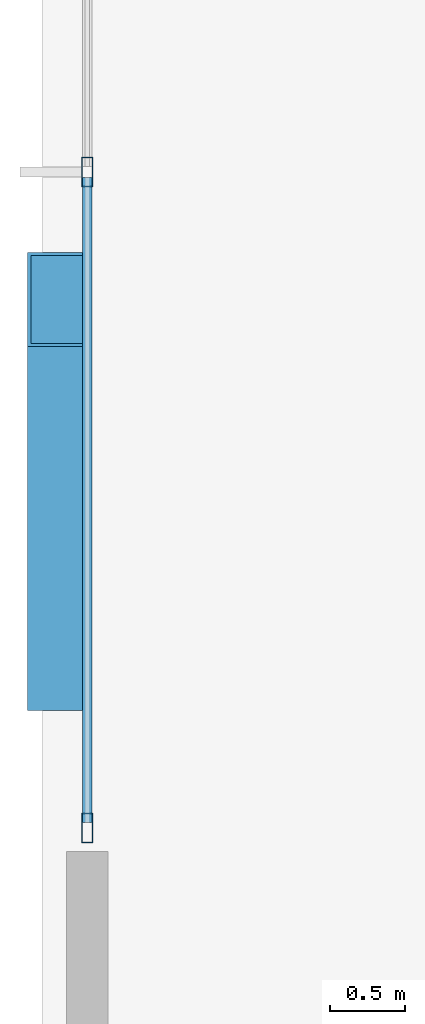
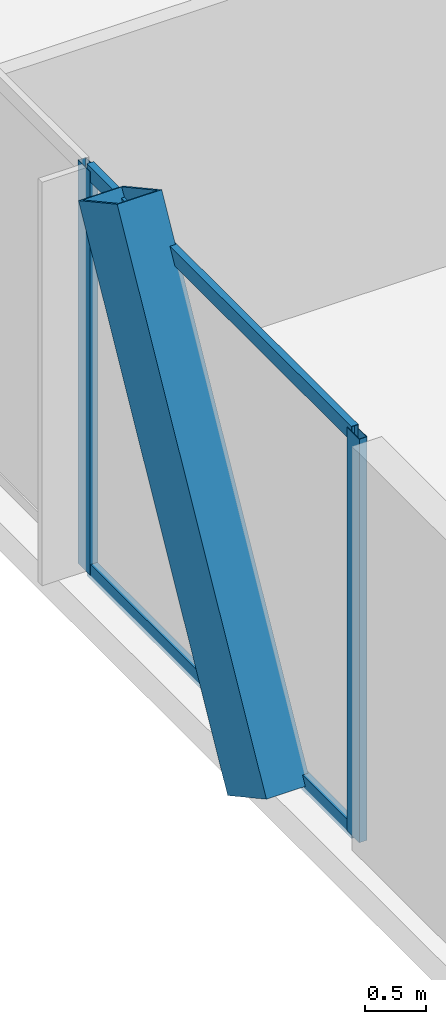
# One storey, part 10 of 42: 5 members, 1 element without a shape of its own.
"""IFC4 building model written with IfcOpenShell, lengths in metres."""

import ifcopenshell
import ifcopenshell.guid

model = None  # the IFC model being written
_history = None  # IfcOwnerHistory: only IFC2X3 demands one
_inside = {}  # id of a spatial element -> (the spatial element, [elements in it])
_under = {}  # id of a project, library or spatial element -> (it, [spatial elements below it])
_declared = {}  # id of a project -> (the project, [libraries it declares])
_typed = {}  # id of a type object -> (the type object, [elements of that type])
_made_of = {}  # id of a material, layer set ... -> (it, [elements and type objects made of it])


def new_model(schema):
    """Start an empty IFC model of exactly this schema.

    Asked for "IFC4X3", IfcOpenShell would pick the latest addendum, in which some entities
    have other attributes; the version numbers below select the first issue.
    IFC2X3 requires an IfcOwnerHistory on every rooted entity: one is made here for all.
    """
    global model, _history
    if schema == "IFC4X3":
        model = ifcopenshell.file(schema_version=(4, 3, 0, 0))
    else:
        model = ifcopenshell.file(schema=schema)
    _inside.clear()
    _under.clear()
    _declared.clear()
    _typed.clear()
    _made_of.clear()
    _history = None
    if model.schema == "IFC2X3":
        org = make("IfcOrganization", Name="unknown")
        user = make(
            "IfcPersonAndOrganization",
            ThePerson=make("IfcPerson", FamilyName="unknown"),
            TheOrganization=org,
        )
        app = make(
            "IfcApplication",
            ApplicationDeveloper=org,
            Version="unknown",
            ApplicationFullName="unknown",
            ApplicationIdentifier="unknown",
        )
        _history = make(
            "IfcOwnerHistory",
            OwningUser=user,
            OwningApplication=app,
            ChangeAction="ADDED",
            CreationDate=0,
        )
    return model


def make(cls, **values):
    """One entity of the class cls with the attributes given. An attribute that is None is left unset."""
    return model.create_entity(
        cls, **{name: value for name, value in values.items() if value is not None}
    )


def rooted(cls, **values):
    """An entity with a GlobalId (a new one), such as an element, a storey or a relation."""
    return make(cls, GlobalId=ifcopenshell.guid.new(), OwnerHistory=_history, **values)


def si_unit(unit_type, name, prefix=None):
    """IfcSIUnit, for example si_unit("LENGTHUNIT", "METRE", prefix="MILLI")."""
    return make("IfcSIUnit", UnitType=unit_type, Prefix=prefix, Name=name)


def assignment(units):
    """IfcUnitAssignment: the units of a project."""
    return None if units is None else make("IfcUnitAssignment", Units=units)


def point(xyz):
    """IfcCartesianPoint."""
    return None if xyz is None else make("IfcCartesianPoint", Coordinates=xyz)


def direction(xyz):
    """IfcDirection."""
    return None if xyz is None else make("IfcDirection", DirectionRatios=xyz)


def frame(location, z_axis=None, x_axis=None):
    """IfcAxis2Placement3D, a coordinate frame: its origin and axes. An axis left out is left unset."""
    return make(
        "IfcAxis2Placement3D",
        Location=point(location),
        Axis=direction(z_axis),
        RefDirection=direction(x_axis),
    )


def frame_2d(location, x_axis=None):
    """IfcAxis2Placement2D, a coordinate frame in the plane: its origin and x axis."""
    return make(
        "IfcAxis2Placement2D", Location=point(location), RefDirection=direction(x_axis)
    )


def origin():
    """The frame at (0, 0, 0) with its axes left unset."""
    return frame((0.0, 0.0, 0.0))


def origin_2d():
    """The frame at (0, 0) in the plane with its x axis left unset."""
    return frame_2d((0.0, 0.0))


def place(relative_to, where):
    """IfcLocalPlacement: puts the frame where relative to a parent placement (None: the world)."""
    return make(
        "IfcLocalPlacement", PlacementRelTo=relative_to, RelativePlacement=where
    )


def context(
    kind, dimensions, precision=None, world=None, true_north=None, identifier=None
):
    """IfcGeometricRepresentationContext, for example the 3D "Model" context."""
    return make(
        "IfcGeometricRepresentationContext",
        ContextIdentifier=identifier,
        ContextType=kind,
        CoordinateSpaceDimension=dimensions,
        Precision=precision,
        WorldCoordinateSystem=world,
        TrueNorth=true_north,
    )


def subcontext(parent, identifier, kind, view, scale=None):
    """IfcGeometricRepresentationSubContext, for example "Body" below "Model"."""
    return make(
        "IfcGeometricRepresentationSubContext",
        ContextIdentifier=identifier,
        ContextType=kind,
        ParentContext=parent,
        TargetScale=scale,
        TargetView=view,
    )


def project(units=None, contexts=None):
    """IfcProject with its units and contexts."""
    return rooted(
        "IfcProject",
        Name="project",
        RepresentationContexts=contexts,
        UnitsInContext=assignment(units),
    )


def spatial(cls, under=None, at=None, **own):
    """A site, building, storey or space (cls), placed at a placement, below another one or the project."""
    s = rooted(cls, ObjectPlacement=at, **own)
    if under is not None:
        _under.setdefault(under.id(), (under, []))[1].append(s)
    return s


def profile(cls, at=None, kind="AREA", **sizes):
    """A parametric profile (cls). Its sizes go by their IFC names, for example OverallWidth=200.0."""
    return make(cls, ProfileType=kind, Position=at, **sizes)


def hollow_rectangle(**sizes):
    """IfcRectangleHollowProfileDef."""
    return profile("IfcRectangleHollowProfileDef", **sizes)


def extrude(swept, where, along, depth):
    """IfcExtrudedAreaSolid: the profile swept, set in the frame where, extruded along a direction by depth."""
    return make(
        "IfcExtrudedAreaSolid",
        SweptArea=swept,
        Position=where,
        ExtrudedDirection=direction(along),
        Depth=depth,
    )


def shape(context_of_items, identifier, shape_type, items):
    """IfcShapeRepresentation: the items that make up one representation, for example the "Body"."""
    return make(
        "IfcShapeRepresentation",
        ContextOfItems=context_of_items,
        RepresentationIdentifier=identifier,
        RepresentationType=shape_type,
        Items=items,
    )


def material(Name=None, Category=None):
    """IfcMaterial."""
    return make("IfcMaterial", Name=Name, Category=Category)


def layer(
    of_material, thickness, ventilated=None, Name=None, Category=None, Priority=None
):
    """IfcMaterialLayer: one layer of a wall or slab, of a material (None: an air gap)."""
    return make(
        "IfcMaterialLayer",
        Material=of_material,
        LayerThickness=thickness,
        IsVentilated=ventilated,
        Name=Name,
        Category=Category,
        Priority=Priority,
    )


def layer_set(layers, Name=None):
    """IfcMaterialLayerSet."""
    return make("IfcMaterialLayerSet", MaterialLayers=layers, LayerSetName=Name)


def material_profile(
    of_material, cross_section, Name=None, Category=None, Priority=None
):
    """IfcMaterialProfile: a cross section and its material."""
    return make(
        "IfcMaterialProfile",
        Name=Name,
        Material=of_material,
        Profile=cross_section,
        Priority=Priority,
        Category=Category,
    )


def profile_set(profiles, Name=None, composite=None):
    """IfcMaterialProfileSet."""
    return make(
        "IfcMaterialProfileSet",
        Name=Name,
        MaterialProfiles=profiles,
        CompositeProfile=composite,
    )


def made_of(thing, what):
    """Note that an element or type object is made of a material, layer set ...; save() writes the relation."""
    if what is not None:
        _made_of.setdefault(what.id(), (what, []))[1].append(thing)
    return thing


def type_object(cls, material=None, **own):
    """A type object (cls), such as IfcWallType, which elements share."""
    return made_of(rooted(cls, **own), material)


def element(
    cls,
    number,
    at=None,
    inside=None,
    cuts=None,
    type_object=None,
    material=None,
    context=None,
    identifier="Body",
    shape_type=None,
    held_by="IfcProductDefinitionShape",
    body=None,
    shapes=None,
    **own,
):
    """One element of the class cls, such as IfcWall. Its Tag is "e" and its number.

    at: its placement. inside: the storey or other place that contains it. cuts: it is an
    opening in that element (IfcRelVoidsElement). A single representation is given by context,
    identifier, shape_type and body (its items); several are given by shapes. held_by: the class
    of the entity that holds the representations. save() writes the other relations.
    """
    e = rooted(cls, Tag="e%d" % number, ObjectPlacement=at, **own)
    if body is not None:
        shapes = [shape(context, identifier, shape_type, body)]
    if shapes is not None:
        e.Representation = make(held_by, Representations=shapes)
    if inside is not None:
        _inside.setdefault(inside.id(), (inside, []))[1].append(e)
    if cuts is not None:
        rooted(
            "IfcRelVoidsElement", RelatingBuildingElement=cuts, RelatedOpeningElement=e
        )
    if type_object is not None:
        _typed.setdefault(type_object.id(), (type_object, []))[1].append(e)
    return made_of(e, material)


def aggregate(whole, parts):
    """IfcRelAggregates: a whole, such as a stair, and the parts it consists of."""
    return rooted("IfcRelAggregates", RelatingObject=whole, RelatedObjects=parts)


def save(model, path):
    """Write the relations noted so far, then the file.

    IfcRelAggregates (storeys below a building ...), IfcRelContainedInSpatialStructure (elements
    in a storey), IfcRelDefinesByType, IfcRelAssociatesMaterial and IfcRelDeclares: one each for
    every whole, place, type object, material and project.
    """
    for whole, parts in _under.values():
        aggregate(whole, parts)
    for where, things in _inside.values():
        rooted(
            "IfcRelContainedInSpatialStructure",
            RelatedElements=things,
            RelatingStructure=where,
        )
    for kind, things in _typed.values():
        rooted("IfcRelDefinesByType", RelatedObjects=things, RelatingType=kind)
    for what, things in _made_of.values():
        rooted("IfcRelAssociatesMaterial", RelatedObjects=things, RelatingMaterial=what)
    for by, libraries in _declared.values():
        rooted("IfcRelDeclares", RelatingContext=by, RelatedDefinitions=libraries)
    model.write(path)


model = new_model("IFC4")

# Units and contexts
model_context = context("Model", 3, precision=1e-05, world=origin(), true_north=direction((0.0, 1.0)))
body_context = subcontext(model_context, "Body", "Model", "MODEL_VIEW")
ifc_project = project(units=[si_unit("LENGTHUNIT", "METRE"), si_unit("AREAUNIT", "SQUARE_METRE"), si_unit("VOLUMEUNIT", "CUBIC_METRE"), si_unit("PLANEANGLEUNIT", "RADIAN"), si_unit("MASSUNIT", "GRAM", prefix="KILO")], contexts=[model_context])

# Site, building, storey
site_placement = place(None, origin())
site = spatial("IfcSite", under=ifc_project, at=site_placement, CompositionType="ELEMENT")
building_placement = place(site_placement, origin())
building = spatial("IfcBuilding", under=site, at=building_placement, Name="Orvanel Arch Residences", CompositionType="ELEMENT")
storey_placement = place(building_placement, frame((0.0, 0.0, 9.800048828125)))
storey = spatial("IfcBuildingStorey", under=building, at=storey_placement, Name="L02", CompositionType="ELEMENT", Elevation=9.800048828125)

# Member
ifc_material_1 = material(Name="Structural steel AS/NZS 3678 Grade 350", Category="steel")
ifc_material_profile_1 = material_profile(ifc_material_1, hollow_rectangle(XDim=0.419921875, YDim=0.719970703125, WallThickness=0.02490234375, at=origin_2d()), Name="RHS720x420x25")
ifc_profile_set_1 = profile_set([ifc_material_profile_1], Name="Structural steel AS/NZS 3678 Grade 350")
member_type_1 = type_object("IfcMemberType", Name="BR-720RHS-EXT", PredefinedType="BRACE", material=ifc_profile_set_1)
member_1_placement = place(storey_placement, frame((1.360107421875, 19.781005859375, -0.150146484375), z_axis=(0.0, 0.480018403674, 0.877258418104), x_axis=(-1.0, 0.0, 0.0)))
element("IfcMember", 1, at=member_1_placement, inside=storey, type_object=member_type_1, Name="L02 Podium Multi-Storey V-Strut Pair W1 Leg 2", PredefinedType="BRACE", context=body_context, shape_type="SweptSolid", body=[
    extrude(hollow_rectangle(XDim=0.419921875, YDim=0.719970703125, WallThickness=0.02490234375, at=origin_2d()), origin(), (0.0, 0.0, 1.0), 5.07275390625),
])

# Curtain wall, members
ifc_material_2 = material(Name="Bronze-anodised aluminium AA6063-T6", Category="aluminium")
ifc_layer = layer(ifc_material_2, 0.199951171875)
ifc_layer_set = layer_set([ifc_layer], Name="Bronze-anodised aluminium AA6063-T6")
curtain_wall_type = type_object("IfcCurtainWallType", Name="CW1-POD-SYS", PredefinedType="NOTDEFINED", material=ifc_layer_set)
curtain_wall_placement = place(storey_placement, origin())
curtain_wall = element("IfcCurtainWall", 2, at=curtain_wall_placement, inside=storey, type_object=curtain_wall_type, Name="L02 CW1-POD-SYS Unitised Curtain Wall", PredefinedType="NOTDEFINED")
ifc_material_profile_2 = material_profile(ifc_material_2, hollow_rectangle(XDim=0.074951171875, YDim=0.199951171875, WallThickness=0.0048828125, at=origin_2d()), Name="ALU200x75x5")
ifc_profile_set_2 = profile_set([ifc_material_profile_2], Name="Bronze-anodised aluminium AA6063-T6")
member_type_2 = type_object("IfcMemberType", Name="MUL-200x75", PredefinedType="MULLION", material=ifc_profile_set_2)
member_2_placement = place(storey_placement, frame((1.550048828125, 23.070068359375, 0.0), z_axis=(0.0, 0.0, 1.0), x_axis=(1.0, 0.0, 0.0)))
member_2 = element("IfcMember", 3, at=member_2_placement, type_object=member_type_2, Name="CW-S1 mullion 4", PredefinedType="MULLION", context=body_context, shape_type="SweptSolid", body=[
    extrude(hollow_rectangle(XDim=0.074951171875, YDim=0.199951171875, WallThickness=0.0048828125, at=origin_2d()), origin(), (0.0, 0.0, 1.0), 4.02001953125),
])
member_3_placement = place(storey_placement, frame((1.550048828125, 18.677490234375, 0.0), z_axis=(0.0, 0.0, 1.0), x_axis=(1.0, 0.0, 0.0)))
member_3 = element("IfcMember", 4, at=member_3_placement, type_object=member_type_2, Name="CW-S1 mullion 5", PredefinedType="MULLION", context=body_context, shape_type="SweptSolid", body=[
    extrude(hollow_rectangle(XDim=0.074951171875, YDim=0.199951171875, WallThickness=0.0048828125, at=origin_2d()), origin(), (0.0, 0.0, 1.0), 4.02001953125),
])
ifc_material_profile_3 = material_profile(ifc_material_2, hollow_rectangle(XDim=0.06494140625, YDim=0.14990234375, WallThickness=0.00390625, at=origin_2d()), Name="ALU150x65x4")
ifc_profile_set_3 = profile_set([ifc_material_profile_3], Name="Bronze-anodised aluminium AA6063-T6")
member_type_3 = type_object("IfcMemberType", Name="TRN-150x65", PredefinedType="USERDEFINED", material=ifc_profile_set_3)
member_4_placement = place(storey_placement, frame((1.550048828125, 23.032470703125, 0.032470703125), z_axis=(0.0, -1.0, 0.0), x_axis=(1.0, 0.0, 0.0)))
member_4 = element("IfcMember", 5, at=member_4_placement, type_object=member_type_3, Name="CW-S1 transom 4.1", ObjectType="TRANSOM", PredefinedType="USERDEFINED", context=body_context, shape_type="SweptSolid", body=[
    extrude(hollow_rectangle(XDim=0.06494140625, YDim=0.14990234375, WallThickness=0.00390625, at=origin_2d()), origin(), (0.0, 0.0, 1.0), 4.3173828125),
])
member_5_placement = place(storey_placement, frame((1.550048828125, 23.032470703125, 3.987548828125), z_axis=(0.0, -1.0, 0.0), x_axis=(1.0, 0.0, 0.0)))
member_5 = element("IfcMember", 6, at=member_5_placement, type_object=member_type_3, Name="CW-S1 transom 4.2", ObjectType="TRANSOM", PredefinedType="USERDEFINED", context=body_context, shape_type="SweptSolid", body=[
    extrude(hollow_rectangle(XDim=0.06494140625, YDim=0.14990234375, WallThickness=0.00390625, at=origin_2d()), origin(), (0.0, 0.0, 1.0), 4.3173828125),
])
aggregate(curtain_wall, [member_2, member_3, member_4, member_5])

save(model, "model.ifc")
